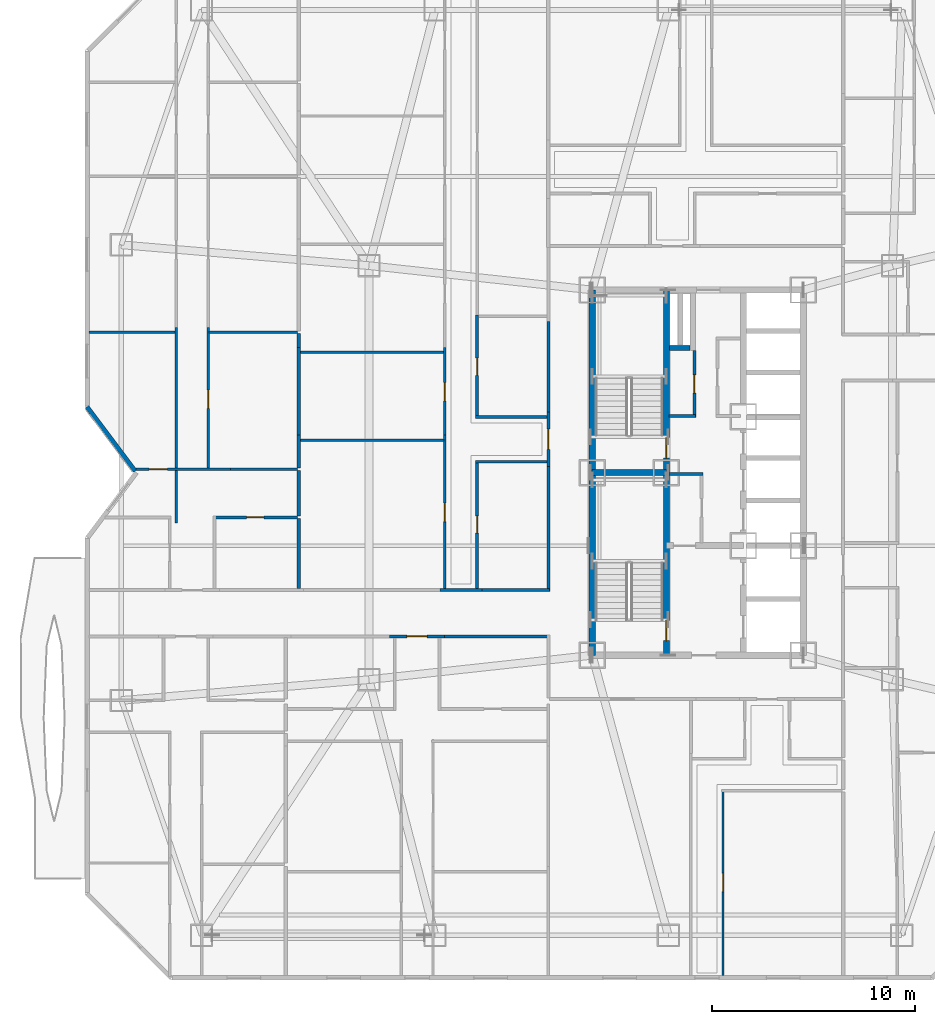
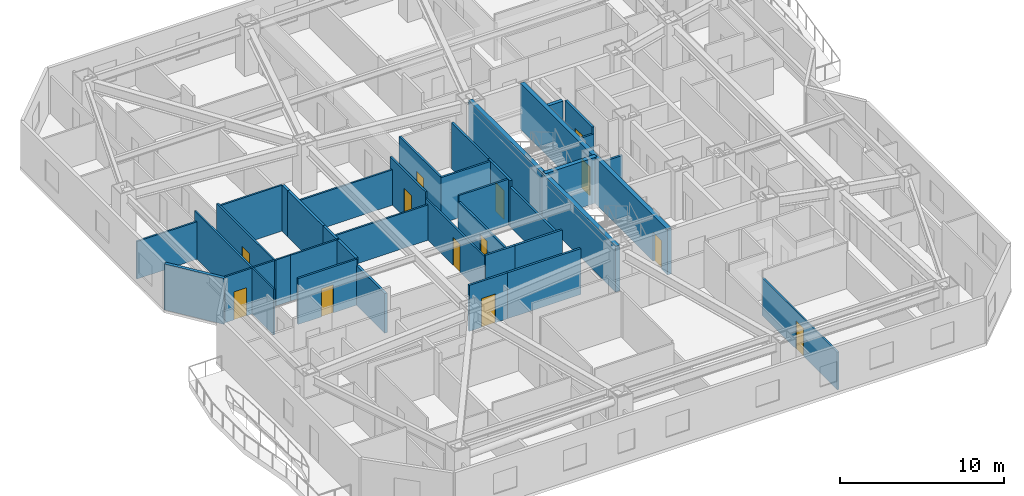
# One storey, part 9 of 17: 38 walls, 13 doors, 13 openings.
"""IFC4 building model written with IfcOpenShell, lengths in metres."""

from ifc_helpers import new_model, si_unit, direction, frame, frame_2d, origin, place, context, subcontext, project, spatial, rectangle, extrude, material, layer, layer_set, type_object, element, fill, save


model = new_model("IFC4")

# Units and contexts
model_context = context("Model", 3, precision=1e-05, world=origin(), true_north=direction((0.0, 1.0)))
body_context = subcontext(model_context, "Body", "Model", "MODEL_VIEW")
ifc_project = project(units=[si_unit("LENGTHUNIT", "METRE"), si_unit("AREAUNIT", "SQUARE_METRE"), si_unit("VOLUMEUNIT", "CUBIC_METRE"), si_unit("PLANEANGLEUNIT", "RADIAN"), si_unit("MASSUNIT", "GRAM", prefix="KILO")], contexts=[model_context])

# Site, building, storey
site_placement = place(None, origin())
site = spatial("IfcSite", under=ifc_project, at=site_placement, CompositionType="ELEMENT")
building_placement = place(site_placement, origin())
building = spatial("IfcBuilding", under=site, at=building_placement, Name="Khamvora Tower", CompositionType="ELEMENT")
storey_placement = place(building_placement, frame((0.0, 0.0, 44.25)))
storey = spatial("IfcBuildingStorey", under=building, at=storey_placement, Name="L10", CompositionType="ELEMENT", Elevation=44.25)

# Walls
ifc_material_1 = material(Name="Concrete C50/60", Category="concrete")
ifc_layer_1 = layer(ifc_material_1, 0.300048828125)
ifc_layer_set_1 = layer_set([ifc_layer_1], Name="Concrete C50/60")
wall_type_1 = type_object("IfcWallType", Name="WAL-CORE-300", PredefinedType="SHEAR", material=ifc_layer_set_1)
for number, where, z_axis, x_axis, name in (
    (1, (29.0, 19.0, 0.0), (0.0, 0.0, 1.0), (0.0, 1.0, 0.0), "L10 central core west south wall"),
    (2, (29.0, 28.0, 0.0), (0.0, 0.0, 1.0), (0.0, 1.0, 0.0), "L10 central core west north wall"),
):
    element("IfcWall", number, at=place(storey_placement, frame(where, z_axis=z_axis, x_axis=x_axis)), inside=storey, type_object=wall_type_1, Name=name, PredefinedType="SHEAR", context=body_context, shape_type="SweptSolid", body=[
        extrude(rectangle(XDim=9.0, YDim=0.300048828125, at=frame_2d((4.5, 0.0))), origin(), (0.0, 0.0, 1.0), 3.429931640625),
    ])

# Wall, opening, door
wall_1_placement = place(storey_placement, frame((32.64990234375, 19.0, 0.0), z_axis=(0.0, 0.0, 1.0), x_axis=(0.0, 1.0, 0.0)))
wall_1 = element("IfcWall", 3, at=wall_1_placement, inside=storey, type_object=wall_type_1, Name="L10 central core stair south spine wall", PredefinedType="SHEAR", context=body_context, shape_type="SweptSolid", body=[
    extrude(rectangle(XDim=9.0, YDim=0.300048828125, at=frame_2d((4.5, 0.0))), origin(), (0.0, 0.0, 1.0), 3.429931640625),
])
opening_1_placement = place(wall_1_placement, frame((0.719970703125, 0.0, 0.0)))
opening_1 = element("IfcOpeningElement", 4, at=opening_1_placement, cuts=wall_1, Name="Opening D-ST1", PredefinedType="OPENING", context=body_context, shape_type="SweptSolid", body=[
    extrude(rectangle(XDim=1.0, YDim=2.14990234375, at=frame_2d((0.5, 1.074951171875))), frame((0.0, 0.159912109375, 0.0), z_axis=(0.0, -1.0, 0.0), x_axis=(1.0, 0.0, 0.0)), (0.0, 0.0, 1.0), 0.320068359375),
])
ifc_material_2 = material(Name="Powder-Coated Steel and Hardwood Leaf", Category="steel")
door_type_1 = type_object("IfcDoorType", Name="DOR-STAIR-1000", OperationType="NOTDEFINED", PredefinedType="DOOR", material=ifc_material_2)
door_1_placement = place(opening_1_placement, origin())
door_1 = element("IfcDoor", 5, at=door_1_placement, inside=storey, type_object=door_type_1, Name="L10 exit stair ST-01 fire door", OperationType="SINGLE_SWING_RIGHT", OverallHeight=2.14990234375, OverallWidth=1.0, PredefinedType="DOOR", context=body_context, shape_type="SweptSolid", body=[
    extrude(rectangle(XDim=1.0, YDim=2.14990234375, at=frame_2d((0.5, 1.074951171875))), frame((0.0, 0.02490234375, 0.0), z_axis=(0.0, -1.0, 0.0), x_axis=(1.0, 0.0, 0.0)), (0.0, 0.0, 1.0), 0.050048828125),
])
fill(opening_1, door_1)

wall_2_placement = place(storey_placement, frame((32.64990234375, 28.0, 0.0), z_axis=(0.0, 0.0, 1.0), x_axis=(0.0, 1.0, 0.0)))
wall_2 = element("IfcWall", 6, at=wall_2_placement, inside=storey, type_object=wall_type_1, Name="L10 central core stair north spine wall", PredefinedType="SHEAR", context=body_context, shape_type="SweptSolid", body=[
    extrude(rectangle(XDim=9.0, YDim=0.300048828125, at=frame_2d((4.5, 0.0))), origin(), (0.0, 0.0, 1.0), 3.429931640625),
])
opening_2_placement = place(wall_2_placement, frame((0.719970703125, 0.0, 0.0)))
opening_2 = element("IfcOpeningElement", 7, at=opening_2_placement, cuts=wall_2, Name="Opening D-ST1", PredefinedType="OPENING", context=body_context, shape_type="SweptSolid", body=[
    extrude(rectangle(XDim=1.0, YDim=2.14990234375, at=frame_2d((0.5, 1.074951171875))), frame((0.0, 0.159912109375, 0.0), z_axis=(0.0, -1.0, 0.0), x_axis=(1.0, 0.0, 0.0)), (0.0, 0.0, 1.0), 0.320068359375),
])
door_2_placement = place(opening_2_placement, origin())
door_2 = element("IfcDoor", 8, at=door_2_placement, inside=storey, type_object=door_type_1, Name="L10 exit stair ST-02 fire door", OperationType="SINGLE_SWING_RIGHT", OverallHeight=2.14990234375, OverallWidth=1.0, PredefinedType="DOOR", context=body_context, shape_type="SweptSolid", body=[
    extrude(rectangle(XDim=1.0, YDim=2.14990234375, at=frame_2d((0.5, 1.074951171875))), frame((0.0, 0.02490234375, 0.0), z_axis=(0.0, -1.0, 0.0), x_axis=(1.0, 0.0, 0.0)), (0.0, 0.0, 1.0), 0.050048828125),
])
fill(opening_2, door_2)

# Walls
wall_3_placement = place(storey_placement, frame((29.0, 28.0, 0.0), z_axis=(0.0, 0.0, 1.0), x_axis=(1.0, 0.0, 0.0)))
element("IfcWall", 9, at=wall_3_placement, inside=storey, type_object=wall_type_1, Name="L10 central core stair cross wall", PredefinedType="SHEAR", context=body_context, shape_type="SweptSolid", body=[
    extrude(rectangle(XDim=3.64990234375, YDim=0.300048828125, at=frame_2d((1.824951171875, 0.0))), origin(), (0.0, 0.0, 1.0), 3.429931640625),
])
ifc_material_3 = material(Name="Fire-Rated Drywall and Steel Stud", Category="steel")
ifc_layer_2 = layer(ifc_material_3, 0.14990234375)
ifc_layer_set_2 = layer_set([ifc_layer_2], Name="Fire-Rated Drywall and Steel Stud")
wall_type_2 = type_object("IfcWallType", Name="WAL-CORR-150", PredefinedType="STANDARD", material=ifc_layer_set_2)
wall_4_placement = place(storey_placement, frame((32.7939453125, 30.784912109375, 0.0), z_axis=(0.0, 0.0, 1.0), x_axis=(1.0, 0.0, 0.0)))
element("IfcWall", 10, at=wall_4_placement, inside=storey, type_object=wall_type_2, Name="L10 interior partition wall 004", PredefinedType="STANDARD", context=body_context, shape_type="SweptSolid", body=[
    extrude(rectangle(XDim=1.30615234375, YDim=0.14990234375, at=frame_2d((0.653076171875, 0.0))), origin(), (0.0, 0.0, 1.0), 2.886962890625),
])

# Wall, opening, door
wall_5_placement = place(storey_placement, frame((34.034912109375, 30.719970703125, 0.0), z_axis=(0.0, 0.0, 1.0), x_axis=(0.0, 1.0, 0.0)))
wall_5 = element("IfcWall", 11, at=wall_5_placement, inside=storey, type_object=wall_type_2, Name="L10 interior partition wall 005", PredefinedType="STANDARD", context=body_context, shape_type="SweptSolid", body=[
    extrude(rectangle(XDim=3.300048828125, YDim=0.14990234375, at=frame_2d((1.64990234375, 0.0))), origin(), (0.0, 0.0, 1.0), 3.429931640625),
])
opening_3_placement = place(wall_5_placement, frame((1.199951171875, 0.0, 0.0)))
opening_3 = element("IfcOpeningElement", 12, at=opening_3_placement, cuts=wall_5, Name="Opening D-RM1", PredefinedType="OPENING", context=body_context, shape_type="SweptSolid", body=[
    extrude(rectangle(XDim=0.89990234375, YDim=2.10009765625, at=frame_2d((0.449951171875, 1.050048828125))), frame((0.0, 0.0849609375, 0.0), z_axis=(0.0, -1.0, 0.0), x_axis=(1.0, 0.0, 0.0)), (0.0, 0.0, 1.0), 0.169921875),
])
door_type_2 = type_object("IfcDoorType", Name="DOR-ROOM-900", OperationType="NOTDEFINED", PredefinedType="DOOR", material=ifc_material_2)
door_3_placement = place(opening_3_placement, origin())
door_3 = element("IfcDoor", 13, at=door_3_placement, inside=storey, type_object=door_type_2, Name="L10 interior door PLL-CS2", OperationType="SINGLE_SWING_LEFT", OverallHeight=2.10009765625, OverallWidth=0.89990234375, PredefinedType="DOOR", context=body_context, shape_type="SweptSolid", body=[
    extrude(rectangle(XDim=0.89990234375, YDim=2.10009765625, at=frame_2d((0.449951171875, 1.050048828125))), frame((0.0, 0.02490234375, 0.0), z_axis=(0.0, -1.0, 0.0), x_axis=(1.0, 0.0, 0.0)), (0.0, 0.0, 1.0), 0.050048828125),
])
fill(opening_3, door_3)

# Wall
wall_6_placement = place(storey_placement, frame((34.449951171875, 27.93505859375, 0.0), z_axis=(0.0, 0.0, 1.0), x_axis=(-1.0, 0.0, 0.0)))
element("IfcWall", 14, at=wall_6_placement, inside=storey, type_object=wall_type_2, Name="L10 interior partition wall 007", PredefinedType="STANDARD", context=body_context, shape_type="SweptSolid", body=[
    extrude(rectangle(XDim=1.656005859375, YDim=0.14990234375, at=frame_2d((0.828125, 0.0))), origin(), (0.0, 0.0, 1.0), 2.886962890625),
])

# Wall, opening, door
wall_7_placement = place(storey_placement, frame((21.718994140625, 19.93505859375, 0.0), z_axis=(0.0, 0.0, 1.0), x_axis=(-1.0, 0.0, 0.0)))
wall_7 = element("IfcWall", 15, at=wall_7_placement, inside=storey, type_object=wall_type_2, Name="L10 interior partition wall 012", PredefinedType="STANDARD", context=body_context, shape_type="SweptSolid", body=[
    extrude(rectangle(XDim=2.697998046875, YDim=0.14990234375, at=frame_2d((1.34912109375, 0.0))), origin(), (0.0, 0.0, 1.0), 3.429931640625),
])
opening_4_placement = place(wall_7_placement, frame((0.84912109375, 0.0, 0.0)))
opening_4 = element("IfcOpeningElement", 16, at=opening_4_placement, cuts=wall_7, Name="Opening D-U1", PredefinedType="OPENING", context=body_context, shape_type="SweptSolid", body=[
    extrude(rectangle(XDim=1.0, YDim=2.14990234375, at=frame_2d((0.5, 1.074951171875))), frame((0.0, 0.0849609375, 0.0), z_axis=(0.0, -1.0, 0.0), x_axis=(1.0, 0.0, 0.0)), (0.0, 0.0, 1.0), 0.169921875),
])
door_type_3 = type_object("IfcDoorType", Name="DOR-UNIT-1000", OperationType="NOTDEFINED", PredefinedType="DOOR", material=ifc_material_2)
door_4_placement = place(opening_4_placement, origin())
door_4 = element("IfcDoor", 17, at=door_4_placement, inside=storey, type_object=door_type_3, Name="L10 interior door COR-10WBH", OperationType="SINGLE_SWING_LEFT", OverallHeight=2.14990234375, OverallWidth=1.0, PredefinedType="DOOR", context=body_context, shape_type="SweptSolid", body=[
    extrude(rectangle(XDim=1.0, YDim=2.14990234375, at=frame_2d((0.5, 1.074951171875))), frame((0.0, 0.02490234375, 0.0), z_axis=(0.0, -1.0, 0.0), x_axis=(1.0, 0.0, 0.0)), (0.0, 0.0, 1.0), 0.050048828125),
])
fill(opening_4, door_4)

# Wall
wall_8_placement = place(storey_placement, frame((26.89794921875, 19.93505859375, 0.0), z_axis=(0.0, 0.0, 1.0), x_axis=(-1.0, 0.0, 0.0)))
element("IfcWall", 18, at=wall_8_placement, inside=storey, type_object=wall_type_2, Name="L10 interior partition wall 014", PredefinedType="STANDARD", context=body_context, shape_type="SweptSolid", body=[
    extrude(rectangle(XDim=5.178955078125, YDim=0.14990234375, at=frame_2d((2.58935546875, 0.0))), origin(), (0.0, 0.0, 1.0), 3.429931640625),
])

# Wall, opening, door
wall_9_placement = place(storey_placement, frame((26.8349609375, 28.2919921875, 0.0), z_axis=(0.0, 0.0, 1.0), x_axis=(0.0, 1.0, 0.0)))
wall_9 = element("IfcWall", 19, at=wall_9_placement, inside=storey, type_object=wall_type_2, Name="L10 interior partition wall 020", PredefinedType="STANDARD", context=body_context, shape_type="SweptSolid", body=[
    extrude(rectangle(XDim=2.697998046875, YDim=0.14990234375, at=frame_2d((1.34912109375, 0.0))), origin(), (0.0, 0.0, 1.0), 3.429931640625),
])
opening_5_placement = place(wall_9_placement, frame((0.84912109375, 0.0, 0.0)))
opening_5 = element("IfcOpeningElement", 20, at=opening_5_placement, cuts=wall_9, Name="Opening D-U1", PredefinedType="OPENING", context=body_context, shape_type="SweptSolid", body=[
    extrude(rectangle(XDim=1.0, YDim=2.14990234375, at=frame_2d((0.5, 1.074951171875))), frame((0.0, 0.0849609375, 0.0), z_axis=(0.0, -1.0, 0.0), x_axis=(1.0, 0.0, 0.0)), (0.0, 0.0, 1.0), 0.169921875),
])
door_5_placement = place(opening_5_placement, origin())
door_5 = element("IfcDoor", 21, at=door_5_placement, inside=storey, type_object=door_type_3, Name="L10 interior door COR-10WC2H", OperationType="SINGLE_SWING_LEFT", OverallHeight=2.14990234375, OverallWidth=1.0, PredefinedType="DOOR", context=body_context, shape_type="SweptSolid", body=[
    extrude(rectangle(XDim=1.0, YDim=2.14990234375, at=frame_2d((0.5, 1.074951171875))), frame((0.0, 0.02490234375, 0.0), z_axis=(0.0, -1.0, 0.0), x_axis=(1.0, 0.0, 0.0)), (0.0, 0.0, 1.0), 0.050048828125),
])
fill(opening_5, door_5)

# Walls
wall_10_placement = place(storey_placement, frame((21.4951171875, 22.215087890625, 0.0), z_axis=(0.0, 0.0, 1.0), x_axis=(1.0, 0.0, 0.0)))
element("IfcWall", 22, at=wall_10_placement, inside=storey, type_object=wall_type_2, Name="L10 interior partition wall 021", PredefinedType="STANDARD", context=body_context, shape_type="SweptSolid", body=[
    extrude(rectangle(XDim=2.077880859375, YDim=0.14990234375, at=frame_2d((1.0390625, 0.0))), origin(), (0.0, 0.0, 1.0), 3.429931640625),
])
wall_11_placement = place(storey_placement, frame((26.8349609375, 30.989990234375, 0.0), z_axis=(0.0, 0.0, 1.0), x_axis=(0.0, 1.0, 0.0)))
element("IfcWall", 23, at=wall_11_placement, inside=storey, type_object=wall_type_2, Name="L10 interior partition wall 022", PredefinedType="STANDARD", context=body_context, shape_type="SweptSolid", body=[
    extrude(rectangle(XDim=4.467041015625, YDim=0.14990234375, at=frame_2d((2.2333984375, 0.0))), origin(), (0.0, 0.0, 1.0), 3.429931640625),
])
wall_12_placement = place(storey_placement, frame((26.8349609375, 22.14990234375, 0.0), z_axis=(0.0, 0.0, 1.0), x_axis=(0.0, 1.0, 0.0)))
element("IfcWall", 24, at=wall_12_placement, inside=storey, type_object=wall_type_2, Name="L10 interior partition wall 023", PredefinedType="STANDARD", context=body_context, shape_type="SweptSolid", body=[
    extrude(rectangle(XDim=6.14208984375, YDim=0.14990234375, at=frame_2d((3.071044921875, 0.0))), origin(), (0.0, 0.0, 1.0), 2.95703125),
])
wall_13_placement = place(storey_placement, frame((23.572998046875, 22.215087890625, 0.0), z_axis=(0.0, 0.0, 1.0), x_axis=(1.0, 0.0, 0.0)))
element("IfcWall", 25, at=wall_13_placement, inside=storey, type_object=wall_type_2, Name="L10 interior partition wall 024", PredefinedType="STANDARD", context=body_context, shape_type="SweptSolid", body=[
    extrude(rectangle(XDim=3.324951171875, YDim=0.14990234375, at=frame_2d((1.66259765625, 0.0))), origin(), (0.0, 0.0, 1.0), 3.429931640625),
])
ifc_material_4 = material(Name="Acoustic Double-Stud Fire Wall", Category="gypsum")
ifc_layer_3 = layer(ifc_material_4, 0.179931640625)
ifc_layer_set_3 = layer_set([ifc_layer_3], Name="Acoustic Double-Stud Fire Wall")
wall_type_3 = type_object("IfcWallType", Name="WAL-CORR-180", PredefinedType="STANDARD", material=ifc_layer_set_3)
wall_14_placement = place(storey_placement, frame((14.533935546875, 28.110107421875, 0.0), z_axis=(0.0, 0.0, 1.0), x_axis=(0.0, -1.0, 0.0)))
element("IfcWall", 26, at=wall_14_placement, inside=storey, type_object=wall_type_3, Name="L10 interior partition wall 091", PredefinedType="STANDARD", context=body_context, shape_type="SweptSolid", body=[
    extrude(rectangle(XDim=2.25, YDim=0.179931640625, at=frame_2d((1.125, 0.0))), origin(), (0.0, 0.0, 1.0), 3.429931640625),
])
wall_15_placement = place(storey_placement, frame((14.533935546875, 25.72998046875, 0.0), z_axis=(0.0, 0.0, 1.0), x_axis=(0.0, -1.0, 0.0)))
element("IfcWall", 27, at=wall_15_placement, inside=storey, type_object=wall_type_3, Name="L10 interior partition wall 092", PredefinedType="STANDARD", context=body_context, shape_type="SweptSolid", body=[
    extrude(rectangle(XDim=3.449951171875, YDim=0.179931640625, at=frame_2d((1.72509765625, 0.0))), origin(), (0.0, 0.0, 1.0), 2.95703125),
])
wall_16_placement = place(storey_placement, frame((14.533935546875, 29.845947265625, 0.0), z_axis=(0.0, 0.0, 1.0), x_axis=(0.0, -1.0, 0.0)))
element("IfcWall", 28, at=wall_16_placement, inside=storey, type_object=wall_type_3, Name="L10 interior partition wall 097", PredefinedType="STANDARD", context=body_context, shape_type="SweptSolid", body=[
    extrude(rectangle(XDim=1.60595703125, YDim=0.179931640625, at=frame_2d((0.802978515625, 0.0))), origin(), (0.0, 0.0, 1.0), 3.429931640625),
])
wall_17_placement = place(storey_placement, frame((14.533935546875, 34.176025390625, 0.0), z_axis=(0.0, 0.0, 1.0), x_axis=(0.0, -1.0, 0.0)))
element("IfcWall", 29, at=wall_17_placement, inside=storey, type_object=wall_type_3, Name="L10 interior partition wall 098", PredefinedType="STANDARD", context=body_context, shape_type="SweptSolid", body=[
    extrude(rectangle(XDim=4.330078125, YDim=0.179931640625, at=frame_2d((2.1650390625, 0.0))), origin(), (0.0, 0.0, 1.0), 3.429931640625),
])
wall_18_placement = place(storey_placement, frame((14.533935546875, 34.846923828125, 0.0), z_axis=(0.0, 0.0, 1.0), x_axis=(0.0, -1.0, 0.0)))
element("IfcWall", 30, at=wall_18_placement, inside=storey, type_object=wall_type_3, Name="L10 interior partition wall 099", PredefinedType="STANDARD", context=body_context, shape_type="SweptSolid", body=[
    extrude(rectangle(XDim=0.6708984375, YDim=0.179931640625, at=frame_2d((0.33544921875, 0.0))), origin(), (0.0, 0.0, 1.0), 3.429931640625),
])
ifc_material_5 = material(Name="Precast concrete C40/50", Category="concrete")
ifc_layer_4 = layer(ifc_material_5, 0.219970703125)
ifc_layer_set_4 = layer_set([ifc_layer_4], Name="Precast concrete C40/50")
wall_type_4 = type_object("IfcWallType", Name="WAL-EXT-220", PredefinedType="STANDARD", material=ifc_layer_set_4)
wall_19_placement = place(storey_placement, frame((6.47998046875, 28.076904296875, 0.0), z_axis=(0.0, 0.0, 1.0), x_axis=(-0.599960442794, 0.800029666377, 0.0)))
element("IfcWall", 31, at=wall_19_placement, inside=storey, type_object=wall_type_4, Name="L10 exterior facade wall 04.1", PredefinedType="STANDARD", context=body_context, shape_type="SweptSolid", body=[
    extrude(rectangle(XDim=3.949951171875, YDim=0.219970703125, at=frame_2d((1.97509765625, 0.0))), origin(), (0.0, 0.0, 1.0), 3.429931640625),
])

# Wall, opening, door
ifc_material_6 = material(Name="Gypsum Plasterboard Partition", Category="gypsum")
ifc_layer_5 = layer(ifc_material_6, 0.1201171875)
ifc_layer_set_5 = layer_set([ifc_layer_5], Name="Gypsum Plasterboard Partition")
wall_type_5 = type_object("IfcWallType", Name="WAL-PART-120", PredefinedType="PARTITIONING", material=ifc_layer_set_5)
wall_20_placement = place(storey_placement, frame((6.51806640625, 28.175048828125, 0.0), z_axis=(0.0, 0.0, 1.0), x_axis=(1.0, 0.0, 0.0)))
wall_20 = element("IfcWall", 32, at=wall_20_placement, inside=storey, type_object=wall_type_5, Name="L10 interior partition wall 081", PredefinedType="PARTITIONING", context=body_context, shape_type="SweptSolid", body=[
    extrude(rectangle(XDim=4.65087890625, YDim=0.1201171875, at=frame_2d((2.325439453125, 0.0))), origin(), (0.0, 0.0, 1.0), 3.429931640625),
])
opening_6_placement = place(wall_20_placement, frame((0.64697265625, 0.0, 0.0)))
opening_6 = element("IfcOpeningElement", 33, at=opening_6_placement, cuts=wall_20, Name="Opening D-RM1", PredefinedType="OPENING", context=body_context, shape_type="SweptSolid", body=[
    extrude(rectangle(XDim=0.89990234375, YDim=2.10009765625, at=frame_2d((0.449951171875, 1.050048828125))), frame((0.0, 0.070068359375, 0.0), z_axis=(0.0, -1.0, 0.0), x_axis=(1.0, 0.0, 0.0)), (0.0, 0.0, 1.0), 0.14013671875),
])
door_6_placement = place(opening_6_placement, origin())
door_6 = element("IfcDoor", 34, at=door_6_placement, inside=storey, type_object=door_type_2, Name="L10 interior door 10WC1H-10WC1L", OperationType="SINGLE_SWING_RIGHT", OverallHeight=2.10009765625, OverallWidth=0.89990234375, PredefinedType="DOOR", context=body_context, shape_type="SweptSolid", body=[
    extrude(rectangle(XDim=0.89990234375, YDim=2.10009765625, at=frame_2d((0.449951171875, 1.050048828125))), frame((0.0, 0.02490234375, 0.0), z_axis=(0.0, -1.0, 0.0), x_axis=(1.0, 0.0, 0.0)), (0.0, 0.0, 1.0), 0.050048828125),
])
fill(opening_6, door_6)

# Wall
wall_21_placement = place(storey_placement, frame((8.50390625, 25.510009765625, 0.0), z_axis=(0.0, 0.0, 1.0), x_axis=(0.0, 1.0, 0.0)))
element("IfcWall", 35, at=wall_21_placement, inside=storey, type_object=wall_type_5, Name="L10 interior partition wall 082", PredefinedType="PARTITIONING", context=body_context, shape_type="SweptSolid", body=[
    extrude(rectangle(XDim=9.65087890625, YDim=0.1201171875, at=frame_2d((4.825439453125, 0.0))), origin(), (0.0, 0.0, 1.0), 3.429931640625),
])

# Wall, opening, door
wall_22_placement = place(storey_placement, frame((10.073974609375, 35.160888671875, 0.0), z_axis=(0.0, 0.0, 1.0), x_axis=(0.0, -1.0, 0.0)))
wall_22 = element("IfcWall", 36, at=wall_22_placement, inside=storey, type_object=wall_type_5, Name="L10 interior partition wall 086", PredefinedType="PARTITIONING", context=body_context, shape_type="SweptSolid", body=[
    extrude(rectangle(XDim=7.05078125, YDim=0.1201171875, at=frame_2d((3.525390625, 0.0))), origin(), (0.0, 0.0, 1.0), 3.429931640625),
])
opening_7_placement = place(wall_22_placement, frame((3.095947265625, 0.0, 0.0)))
opening_7 = element("IfcOpeningElement", 37, at=opening_7_placement, cuts=wall_22, Name="Opening D-RM1", PredefinedType="OPENING", context=body_context, shape_type="SweptSolid", body=[
    extrude(rectangle(XDim=0.89990234375, YDim=2.10009765625, at=frame_2d((0.449951171875, 1.050048828125))), frame((0.0, 0.070068359375, 0.0), z_axis=(0.0, -1.0, 0.0), x_axis=(1.0, 0.0, 0.0)), (0.0, 0.0, 1.0), 0.14013671875),
])
door_7_placement = place(opening_7_placement, origin())
door_7 = element("IfcDoor", 38, at=door_7_placement, inside=storey, type_object=door_type_2, Name="L10 interior door 10WC1H-10WC1R5", OperationType="SINGLE_SWING_LEFT", OverallHeight=2.10009765625, OverallWidth=0.89990234375, PredefinedType="DOOR", context=body_context, shape_type="SweptSolid", body=[
    extrude(rectangle(XDim=0.89990234375, YDim=2.10009765625, at=frame_2d((0.449951171875, 1.050048828125))), frame((0.0, 0.02490234375, 0.0), z_axis=(0.0, -1.0, 0.0), x_axis=(1.0, 0.0, 0.0)), (0.0, 0.0, 1.0), 0.050048828125),
])
fill(opening_7, door_7)

# Walls
wall_23_placement = place(storey_placement, frame((11.1689453125, 28.175048828125, 0.0), z_axis=(0.0, 0.0, 1.0), x_axis=(1.0, 0.0, 0.0)))
element("IfcWall", 39, at=wall_23_placement, inside=storey, type_object=wall_type_5, Name="L10 interior partition wall 087", PredefinedType="PARTITIONING", context=body_context, shape_type="SweptSolid", body=[
    extrude(rectangle(XDim=3.300048828125, YDim=0.1201171875, at=frame_2d((1.64990234375, 0.0))), origin(), (0.0, 0.0, 1.0), 3.429931640625),
])
wall_24_placement = place(storey_placement, frame((4.2119140625, 34.912109375, 0.0), z_axis=(0.0, 0.0, 1.0), x_axis=(1.0, 0.0, 0.0)))
element("IfcWall", 40, at=wall_24_placement, inside=storey, type_object=wall_type_5, Name="L10 interior partition wall 093", PredefinedType="PARTITIONING", context=body_context, shape_type="SweptSolid", body=[
    extrude(rectangle(XDim=4.238037109375, YDim=0.1201171875, at=frame_2d((2.119140625, 0.0))), origin(), (0.0, 0.0, 1.0), 2.802978515625),
])
wall_25_placement = place(storey_placement, frame((10.1279296875, 34.912109375, 0.0), z_axis=(0.0, 0.0, 1.0), x_axis=(1.0, 0.0, 0.0)))
element("IfcWall", 41, at=wall_25_placement, inside=storey, type_object=wall_type_5, Name="L10 interior partition wall 096", PredefinedType="PARTITIONING", context=body_context, shape_type="SweptSolid", body=[
    extrude(rectangle(XDim=4.341064453125, YDim=0.1201171875, at=frame_2d((2.17041015625, 0.0))), origin(), (0.0, 0.0, 1.0), 3.429931640625),
])

# Wall, opening, door
wall_26_placement = place(storey_placement, frame((21.743896484375, 22.280029296875, 0.0), z_axis=(0.0, 0.0, 1.0), x_axis=(0.0, 1.0, 0.0)))
wall_26 = element("IfcWall", 42, at=wall_26_placement, inside=storey, type_object=wall_type_5, Name="L10 interior partition wall 116", PredefinedType="PARTITIONING", context=body_context, shape_type="SweptSolid", body=[
    extrude(rectangle(XDim=7.56591796875, YDim=0.1201171875, at=frame_2d((3.782958984375, 0.0))), origin(), (0.0, 0.0, 1.0), 2.95703125),
])
opening_8_placement = place(wall_26_placement, frame((3.31201171875, 0.0, 0.0)))
opening_8 = element("IfcOpeningElement", 43, at=opening_8_placement, cuts=wall_26, Name="Opening D-RM1", PredefinedType="OPENING", context=body_context, shape_type="SweptSolid", body=[
    extrude(rectangle(XDim=0.89990234375, YDim=2.10009765625, at=frame_2d((0.449951171875, 1.050048828125))), frame((0.0, 0.070068359375, 0.0), z_axis=(0.0, -1.0, 0.0), x_axis=(1.0, 0.0, 0.0)), (0.0, 0.0, 1.0), 0.14013671875),
])
door_8_placement = place(opening_8_placement, origin())
door_8 = element("IfcDoor", 44, at=door_8_placement, inside=storey, type_object=door_type_2, Name="L10 interior door 10WC2H-10WC2R1", OperationType="SINGLE_SWING_RIGHT", OverallHeight=2.10009765625, OverallWidth=0.89990234375, PredefinedType="DOOR", context=body_context, shape_type="SweptSolid", body=[
    extrude(rectangle(XDim=0.89990234375, YDim=2.10009765625, at=frame_2d((0.449951171875, 1.050048828125))), frame((0.0, 0.02490234375, 0.0), z_axis=(0.0, -1.0, 0.0), x_axis=(1.0, 0.0, 0.0)), (0.0, 0.0, 1.0), 0.050048828125),
])
fill(opening_8, door_8)

wall_27_placement = place(storey_placement, frame((21.743896484375, 29.845947265625, 0.0), z_axis=(0.0, 0.0, 1.0), x_axis=(0.0, 1.0, 0.0)))
wall_27 = element("IfcWall", 45, at=wall_27_placement, inside=storey, type_object=wall_type_5, Name="L10 interior partition wall 117", PredefinedType="PARTITIONING", context=body_context, shape_type="SweptSolid", body=[
    extrude(rectangle(XDim=4.330078125, YDim=0.1201171875, at=frame_2d((2.1650390625, 0.0))), origin(), (0.0, 0.0, 1.0), 3.429931640625),
])
opening_9_placement = place(wall_27_placement, frame((1.694091796875, 0.0, 0.0)))
opening_9 = element("IfcOpeningElement", 46, at=opening_9_placement, cuts=wall_27, Name="Opening D-RM1", PredefinedType="OPENING", context=body_context, shape_type="SweptSolid", body=[
    extrude(rectangle(XDim=0.89990234375, YDim=2.10009765625, at=frame_2d((0.449951171875, 1.050048828125))), frame((0.0, 0.070068359375, 0.0), z_axis=(0.0, -1.0, 0.0), x_axis=(1.0, 0.0, 0.0)), (0.0, 0.0, 1.0), 0.14013671875),
])
door_9_placement = place(opening_9_placement, origin())
door_9 = element("IfcDoor", 47, at=door_9_placement, inside=storey, type_object=door_type_2, Name="L10 interior door 10WC2H-10WC2R2", OperationType="SINGLE_SWING_LEFT", OverallHeight=2.10009765625, OverallWidth=0.89990234375, PredefinedType="DOOR", context=body_context, shape_type="SweptSolid", body=[
    extrude(rectangle(XDim=0.89990234375, YDim=2.10009765625, at=frame_2d((0.449951171875, 1.050048828125))), frame((0.0, 0.02490234375, 0.0), z_axis=(0.0, -1.0, 0.0), x_axis=(1.0, 0.0, 0.0)), (0.0, 0.0, 1.0), 0.050048828125),
])
fill(opening_9, door_9)

# Walls
for number, where, z_axis, x_axis, name in (
    (48, (14.615966796875, 29.596923828125, 0.0), (0.0, 0.0, 1.0), (1.0, 0.0, 0.0), "L10 interior partition wall 121"),
    (49, (14.615966796875, 33.927001953125, 0.0), (0.0, 0.0, 1.0), (1.0, 0.0, 0.0), "L10 interior partition wall 122"),
):
    element("IfcWall", number, at=place(storey_placement, frame(where, z_axis=z_axis, x_axis=x_axis)), inside=storey, type_object=wall_type_5, Name=name, PredefinedType="PARTITIONING", context=body_context, shape_type="SweptSolid", body=[
        extrude(rectangle(XDim=7.073974609375, YDim=0.1201171875, at=frame_2d((3.537109375, 0.0))), origin(), (0.0, 0.0, 1.0), 2.64697265625),
    ])

# Wall, opening, door
wall_28_placement = place(storey_placement, frame((35.445068359375, 12.39111328125, 0.0), z_axis=(0.0, 0.0, 1.0), x_axis=(0.0, -1.0, 0.0)))
wall_28 = element("IfcWall", 50, at=wall_28_placement, inside=storey, type_object=wall_type_5, Name="L10 interior partition wall 130", PredefinedType="PARTITIONING", context=body_context, shape_type="SweptSolid", body=[
    extrude(rectangle(XDim=9.17919921875, YDim=0.1201171875, at=frame_2d((4.589599609375, 0.0))), origin(), (0.0, 0.0, 1.0), 2.802978515625),
])
opening_10_placement = place(wall_28_placement, frame((4.138916015625, 0.0, 0.0)))
opening_10 = element("IfcOpeningElement", 51, at=opening_10_placement, cuts=wall_28, Name="Opening D-RM1", PredefinedType="OPENING", context=body_context, shape_type="SweptSolid", body=[
    extrude(rectangle(XDim=0.89990234375, YDim=2.10009765625, at=frame_2d((0.449951171875, 1.050048828125))), frame((0.0, 0.070068359375, 0.0), z_axis=(0.0, -1.0, 0.0), x_axis=(1.0, 0.0, 0.0)), (0.0, 0.0, 1.0), 0.14013671875),
])
door_10_placement = place(opening_10_placement, origin())
door_10 = element("IfcDoor", 52, at=door_10_placement, inside=storey, type_object=door_type_2, Name="L10 interior door 10SAH-10SAR1", OperationType="SINGLE_SWING_LEFT", OverallHeight=2.10009765625, OverallWidth=0.89990234375, PredefinedType="DOOR", context=body_context, shape_type="SweptSolid", body=[
    extrude(rectangle(XDim=0.89990234375, YDim=2.10009765625, at=frame_2d((0.449951171875, 1.050048828125))), frame((0.0, 0.02490234375, 0.0), z_axis=(0.0, -1.0, 0.0), x_axis=(1.0, 0.0, 0.0)), (0.0, 0.0, 1.0), 0.050048828125),
])
fill(opening_10, door_10)

# Wall
ifc_material_7 = material(Name="Concrete C40/50", Category="concrete")
ifc_layer_6 = layer(ifc_material_7, 0.25)
ifc_layer_set_6 = layer_set([ifc_layer_6], Name="Concrete C40/50")
wall_type_6 = type_object("IfcWallType", Name="WAL-PODS-250", PredefinedType="SHEAR", material=ifc_layer_set_6)
wall_29_placement = place(storey_placement, frame((32.803955078125, 34.14990234375, 0.0), z_axis=(0.0, 0.0, 1.0), x_axis=(1.0, 0.0, 0.0)))
element("IfcWall", 53, at=wall_29_placement, inside=storey, type_object=wall_type_6, Name="L10 vertical MEP riser shaft south enclosure wall", PredefinedType="SHEAR", context=body_context, shape_type="SweptSolid", body=[
    extrude(rectangle(XDim=1.02197265625, YDim=0.25, at=frame_2d((0.510986328125, 0.0))), origin(), (0.0, 0.0, 1.0), 3.429931640625),
])

# Wall, opening, door
ifc_material_8 = material(Name="Moisture-Resistant Plasterboard Partition", Category="gypsum")
ifc_layer_7 = layer(ifc_material_8, 0.135009765625)
ifc_layer_set_7 = layer_set([ifc_layer_7], Name="Moisture-Resistant Plasterboard Partition")
wall_type_7 = type_object("IfcWallType", Name="WAL-WET-135", PredefinedType="PARTITIONING", material=ifc_layer_set_7)
wall_30_placement = place(storey_placement, frame((14.468994140625, 25.794921875, 0.0), z_axis=(0.0, 0.0, 1.0), x_axis=(-1.0, 0.0, 0.0)))
wall_30 = element("IfcWall", 54, at=wall_30_placement, inside=storey, type_object=wall_type_7, Name="L10 interior partition wall 079", PredefinedType="PARTITIONING", context=body_context, shape_type="SweptSolid", body=[
    extrude(rectangle(XDim=4.14501953125, YDim=0.135009765625, at=frame_2d((2.072509765625, 0.0))), origin(), (0.0, 0.0, 1.0), 3.429931640625),
])
opening_11_placement = place(wall_30_placement, frame((1.64697265625, 0.0, 0.0)))
opening_11 = element("IfcOpeningElement", 55, at=opening_11_placement, cuts=wall_30, Name="Opening D-RM2", PredefinedType="OPENING", context=body_context, shape_type="SweptSolid", body=[
    extrude(rectangle(XDim=0.85009765625, YDim=2.10009765625, at=frame_2d((0.425048828125, 1.050048828125))), frame((0.0, 0.077392578125, 0.0), z_axis=(0.0, -1.0, 0.0), x_axis=(1.0, 0.0, 0.0)), (0.0, 0.0, 1.0), 0.155029296875),
])
door_type_4 = type_object("IfcDoorType", Name="DOR-ROOM-850", OperationType="NOTDEFINED", PredefinedType="DOOR", material=ifc_material_2)
door_11_placement = place(opening_11_placement, origin())
door_11 = element("IfcDoor", 56, at=door_11_placement, inside=storey, type_object=door_type_4, Name="L10 interior door 10WC1H-10WC1K", OperationType="SINGLE_SWING_LEFT", OverallHeight=2.10009765625, OverallWidth=0.85009765625, PredefinedType="DOOR", context=body_context, shape_type="SweptSolid", body=[
    extrude(rectangle(XDim=0.85009765625, YDim=2.10009765625, at=frame_2d((0.425048828125, 1.050048828125))), frame((0.0, 0.02490234375, 0.0), z_axis=(0.0, -1.0, 0.0), x_axis=(1.0, 0.0, 0.0)), (0.0, 0.0, 1.0), 0.050048828125),
])
fill(opening_11, door_11)

wall_31_placement = place(storey_placement, frame((23.323974609375, 35.77099609375, 0.0), z_axis=(0.0, 0.0, 1.0), x_axis=(0.0, -1.0, 0.0)))
wall_31 = element("IfcWall", 57, at=wall_31_placement, inside=storey, type_object=wall_type_7, Name="L10 interior partition wall 112", PredefinedType="PARTITIONING", context=body_context, shape_type="SweptSolid", body=[
    extrude(rectangle(XDim=5.094970703125, YDim=0.135009765625, at=frame_2d((2.54736328125, 0.0))), origin(), (0.0, 0.0, 1.0), 3.429931640625),
])
opening_12_placement = place(wall_31_placement, frame((2.123046875, 0.0, 0.0)))
opening_12 = element("IfcOpeningElement", 58, at=opening_12_placement, cuts=wall_31, Name="Opening D-WC1", PredefinedType="OPENING", context=body_context, shape_type="SweptSolid", body=[
    extrude(rectangle(XDim=0.85009765625, YDim=2.10009765625, at=frame_2d((0.425048828125, 1.050048828125))), frame((0.0, 0.077392578125, 0.0), z_axis=(0.0, -1.0, 0.0), x_axis=(1.0, 0.0, 0.0)), (0.0, 0.0, 1.0), 0.155029296875),
])
door_type_5 = type_object("IfcDoorType", Name="DOR-WET-850", OperationType="NOTDEFINED", PredefinedType="DOOR", material=ifc_material_2)
door_12_placement = place(opening_12_placement, origin())
door_12 = element("IfcDoor", 59, at=door_12_placement, inside=storey, type_object=door_type_5, Name="L10 interior door 10WC2H-10WC2B", OperationType="SINGLE_SWING_RIGHT", OverallHeight=2.10009765625, OverallWidth=0.85009765625, PredefinedType="DOOR", context=body_context, shape_type="SweptSolid", body=[
    extrude(rectangle(XDim=0.85009765625, YDim=2.10009765625, at=frame_2d((0.425048828125, 1.050048828125))), frame((0.0, 0.02490234375, 0.0), z_axis=(0.0, -1.0, 0.0), x_axis=(1.0, 0.0, 0.0)), (0.0, 0.0, 1.0), 0.050048828125),
])
fill(opening_12, door_12)

# Walls
for number, where, z_axis, x_axis, name in (
    (60, (23.259033203125, 30.740966796875, 0.0), (0.0, 0.0, 1.0), (1.0, 0.0, 0.0), "L10 interior partition wall 113"),
    (61, (26.77001953125, 28.541015625, 0.0), (0.0, 0.0, 1.0), (-1.0, 0.0, 0.0), "L10 interior partition wall 114"),
):
    element("IfcWall", number, at=place(storey_placement, frame(where, z_axis=z_axis, x_axis=x_axis)), inside=storey, type_object=wall_type_7, Name=name, PredefinedType="PARTITIONING", context=body_context, shape_type="SweptSolid", body=[
        extrude(rectangle(XDim=3.510986328125, YDim=0.135009765625, at=frame_2d((1.75537109375, 0.0))), origin(), (0.0, 0.0, 1.0), 3.429931640625),
    ])

# Wall, opening, door
wall_32_placement = place(storey_placement, frame((23.323974609375, 28.60595703125, 0.0), z_axis=(0.0, 0.0, 1.0), x_axis=(0.0, -1.0, 0.0)))
wall_32 = element("IfcWall", 62, at=wall_32_placement, inside=storey, type_object=wall_type_7, Name="L10 interior partition wall 115", PredefinedType="PARTITIONING", context=body_context, shape_type="SweptSolid", body=[
    extrude(rectangle(XDim=6.325927734375, YDim=0.135009765625, at=frame_2d((3.1630859375, 0.0))), origin(), (0.0, 0.0, 1.0), 2.95703125),
])
opening_13_placement = place(wall_32_placement, frame((2.738037109375, 0.0, 0.0)))
opening_13 = element("IfcOpeningElement", 63, at=opening_13_placement, cuts=wall_32, Name="Opening D-RM2", PredefinedType="OPENING", context=body_context, shape_type="SweptSolid", body=[
    extrude(rectangle(XDim=0.85009765625, YDim=2.10009765625, at=frame_2d((0.425048828125, 1.050048828125))), frame((0.0, 0.077392578125, 0.0), z_axis=(0.0, -1.0, 0.0), x_axis=(1.0, 0.0, 0.0)), (0.0, 0.0, 1.0), 0.155029296875),
])
door_13_placement = place(opening_13_placement, origin())
door_13 = element("IfcDoor", 64, at=door_13_placement, inside=storey, type_object=door_type_4, Name="L10 interior door 10WC2H-10WC2K", OperationType="SINGLE_SWING_LEFT", OverallHeight=2.10009765625, OverallWidth=0.85009765625, PredefinedType="DOOR", context=body_context, shape_type="SweptSolid", body=[
    extrude(rectangle(XDim=0.85009765625, YDim=2.10009765625, at=frame_2d((0.425048828125, 1.050048828125))), frame((0.0, 0.02490234375, 0.0), z_axis=(0.0, -1.0, 0.0), x_axis=(1.0, 0.0, 0.0)), (0.0, 0.0, 1.0), 0.050048828125),
])
fill(opening_13, door_13)

save(model, "model.ifc")
